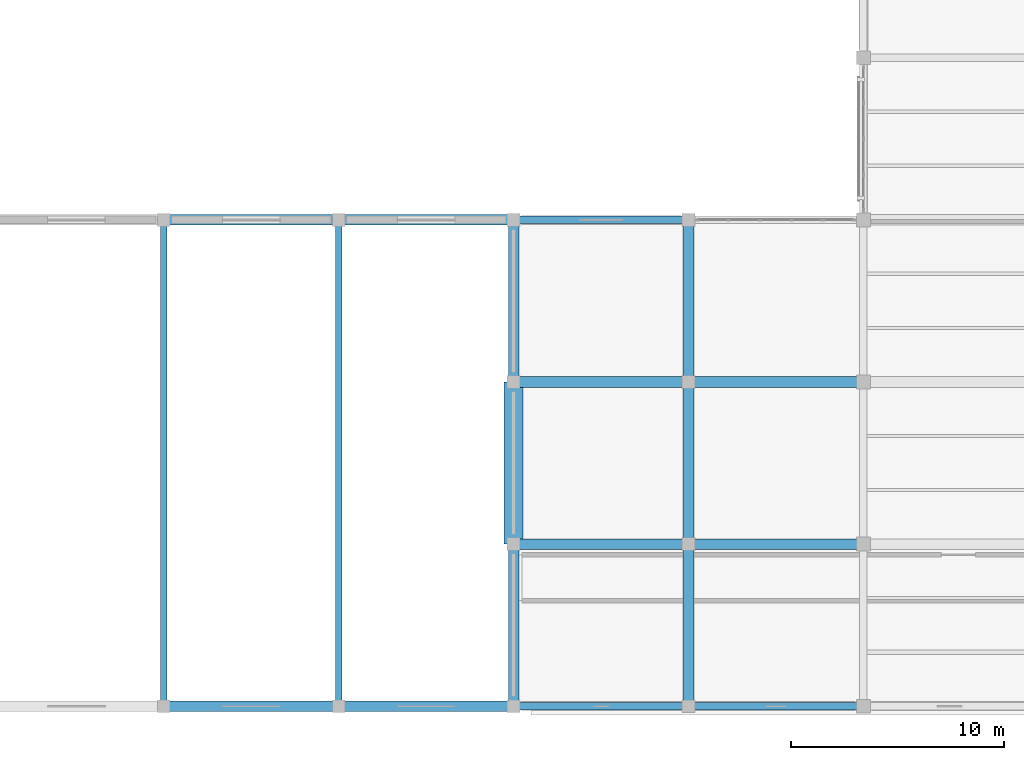
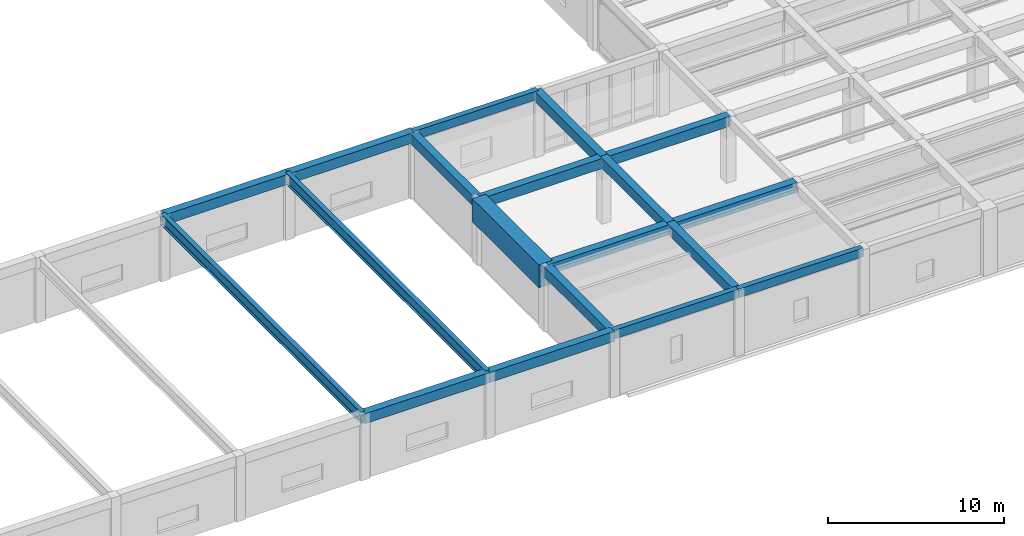
# One storey, part 9 of 49: 19 beams.
"""IFC4 building model written with IfcOpenShell, lengths in metres."""

import ifcopenshell
import ifcopenshell.guid

model = None  # the IFC model being written
_history = None  # IfcOwnerHistory: only IFC2X3 demands one
_inside = {}  # id of a spatial element -> (the spatial element, [elements in it])
_under = {}  # id of a project, library or spatial element -> (it, [spatial elements below it])
_declared = {}  # id of a project -> (the project, [libraries it declares])
_typed = {}  # id of a type object -> (the type object, [elements of that type])
_made_of = {}  # id of a material, layer set ... -> (it, [elements and type objects made of it])


def new_model(schema):
    """Start an empty IFC model of exactly this schema.

    Asked for "IFC4X3", IfcOpenShell would pick the latest addendum, in which some entities
    have other attributes; the version numbers below select the first issue.
    IFC2X3 requires an IfcOwnerHistory on every rooted entity: one is made here for all.
    """
    global model, _history
    if schema == "IFC4X3":
        model = ifcopenshell.file(schema_version=(4, 3, 0, 0))
    else:
        model = ifcopenshell.file(schema=schema)
    _inside.clear()
    _under.clear()
    _declared.clear()
    _typed.clear()
    _made_of.clear()
    _history = None
    if model.schema == "IFC2X3":
        org = make("IfcOrganization", Name="unknown")
        user = make(
            "IfcPersonAndOrganization",
            ThePerson=make("IfcPerson", FamilyName="unknown"),
            TheOrganization=org,
        )
        app = make(
            "IfcApplication",
            ApplicationDeveloper=org,
            Version="unknown",
            ApplicationFullName="unknown",
            ApplicationIdentifier="unknown",
        )
        _history = make(
            "IfcOwnerHistory",
            OwningUser=user,
            OwningApplication=app,
            ChangeAction="ADDED",
            CreationDate=0,
        )
    return model


def make(cls, **values):
    """One entity of the class cls with the attributes given. An attribute that is None is left unset."""
    return model.create_entity(
        cls, **{name: value for name, value in values.items() if value is not None}
    )


def rooted(cls, **values):
    """An entity with a GlobalId (a new one), such as an element, a storey or a relation."""
    return make(cls, GlobalId=ifcopenshell.guid.new(), OwnerHistory=_history, **values)


def si_unit(unit_type, name, prefix=None):
    """IfcSIUnit, for example si_unit("LENGTHUNIT", "METRE", prefix="MILLI")."""
    return make("IfcSIUnit", UnitType=unit_type, Prefix=prefix, Name=name)


def assignment(units):
    """IfcUnitAssignment: the units of a project."""
    return None if units is None else make("IfcUnitAssignment", Units=units)


def point(xyz):
    """IfcCartesianPoint."""
    return None if xyz is None else make("IfcCartesianPoint", Coordinates=xyz)


def direction(xyz):
    """IfcDirection."""
    return None if xyz is None else make("IfcDirection", DirectionRatios=xyz)


def frame(location, z_axis=None, x_axis=None):
    """IfcAxis2Placement3D, a coordinate frame: its origin and axes. An axis left out is left unset."""
    return make(
        "IfcAxis2Placement3D",
        Location=point(location),
        Axis=direction(z_axis),
        RefDirection=direction(x_axis),
    )


def frame_2d(location, x_axis=None):
    """IfcAxis2Placement2D, a coordinate frame in the plane: its origin and x axis."""
    return make(
        "IfcAxis2Placement2D", Location=point(location), RefDirection=direction(x_axis)
    )


def origin():
    """The frame at (0, 0, 0) with its axes left unset."""
    return frame((0.0, 0.0, 0.0))


def origin_2d():
    """The frame at (0, 0) in the plane with its x axis left unset."""
    return frame_2d((0.0, 0.0))


def place(relative_to, where):
    """IfcLocalPlacement: puts the frame where relative to a parent placement (None: the world)."""
    return make(
        "IfcLocalPlacement", PlacementRelTo=relative_to, RelativePlacement=where
    )


def context(
    kind, dimensions, precision=None, world=None, true_north=None, identifier=None
):
    """IfcGeometricRepresentationContext, for example the 3D "Model" context."""
    return make(
        "IfcGeometricRepresentationContext",
        ContextIdentifier=identifier,
        ContextType=kind,
        CoordinateSpaceDimension=dimensions,
        Precision=precision,
        WorldCoordinateSystem=world,
        TrueNorth=true_north,
    )


def subcontext(parent, identifier, kind, view, scale=None):
    """IfcGeometricRepresentationSubContext, for example "Body" below "Model"."""
    return make(
        "IfcGeometricRepresentationSubContext",
        ContextIdentifier=identifier,
        ContextType=kind,
        ParentContext=parent,
        TargetScale=scale,
        TargetView=view,
    )


def project(units=None, contexts=None):
    """IfcProject with its units and contexts."""
    return rooted(
        "IfcProject",
        Name="project",
        RepresentationContexts=contexts,
        UnitsInContext=assignment(units),
    )


def spatial(cls, under=None, at=None, **own):
    """A site, building, storey or space (cls), placed at a placement, below another one or the project."""
    s = rooted(cls, ObjectPlacement=at, **own)
    if under is not None:
        _under.setdefault(under.id(), (under, []))[1].append(s)
    return s


def profile(cls, at=None, kind="AREA", **sizes):
    """A parametric profile (cls). Its sizes go by their IFC names, for example OverallWidth=200.0."""
    return make(cls, ProfileType=kind, Position=at, **sizes)


def rectangle(**sizes):
    """IfcRectangleProfileDef."""
    return profile("IfcRectangleProfileDef", **sizes)


def i_section(**sizes):
    """IfcIShapeProfileDef."""
    return profile("IfcIShapeProfileDef", **sizes)


def extrude(swept, where, along, depth):
    """IfcExtrudedAreaSolid: the profile swept, set in the frame where, extruded along a direction by depth."""
    return make(
        "IfcExtrudedAreaSolid",
        SweptArea=swept,
        Position=where,
        ExtrudedDirection=direction(along),
        Depth=depth,
    )


def shape(context_of_items, identifier, shape_type, items):
    """IfcShapeRepresentation: the items that make up one representation, for example the "Body"."""
    return make(
        "IfcShapeRepresentation",
        ContextOfItems=context_of_items,
        RepresentationIdentifier=identifier,
        RepresentationType=shape_type,
        Items=items,
    )


def material(Name=None, Category=None):
    """IfcMaterial."""
    return make("IfcMaterial", Name=Name, Category=Category)


def material_profile(
    of_material, cross_section, Name=None, Category=None, Priority=None
):
    """IfcMaterialProfile: a cross section and its material."""
    return make(
        "IfcMaterialProfile",
        Name=Name,
        Material=of_material,
        Profile=cross_section,
        Priority=Priority,
        Category=Category,
    )


def profile_set(profiles, Name=None, composite=None):
    """IfcMaterialProfileSet."""
    return make(
        "IfcMaterialProfileSet",
        Name=Name,
        MaterialProfiles=profiles,
        CompositeProfile=composite,
    )


def made_of(thing, what):
    """Note that an element or type object is made of a material, layer set ...; save() writes the relation."""
    if what is not None:
        _made_of.setdefault(what.id(), (what, []))[1].append(thing)
    return thing


def type_object(cls, material=None, **own):
    """A type object (cls), such as IfcWallType, which elements share."""
    return made_of(rooted(cls, **own), material)


def element(
    cls,
    number,
    at=None,
    inside=None,
    cuts=None,
    type_object=None,
    material=None,
    context=None,
    identifier="Body",
    shape_type=None,
    held_by="IfcProductDefinitionShape",
    body=None,
    shapes=None,
    **own,
):
    """One element of the class cls, such as IfcWall. Its Tag is "e" and its number.

    at: its placement. inside: the storey or other place that contains it. cuts: it is an
    opening in that element (IfcRelVoidsElement). A single representation is given by context,
    identifier, shape_type and body (its items); several are given by shapes. held_by: the class
    of the entity that holds the representations. save() writes the other relations.
    """
    e = rooted(cls, Tag="e%d" % number, ObjectPlacement=at, **own)
    if body is not None:
        shapes = [shape(context, identifier, shape_type, body)]
    if shapes is not None:
        e.Representation = make(held_by, Representations=shapes)
    if inside is not None:
        _inside.setdefault(inside.id(), (inside, []))[1].append(e)
    if cuts is not None:
        rooted(
            "IfcRelVoidsElement", RelatingBuildingElement=cuts, RelatedOpeningElement=e
        )
    if type_object is not None:
        _typed.setdefault(type_object.id(), (type_object, []))[1].append(e)
    return made_of(e, material)


def aggregate(whole, parts):
    """IfcRelAggregates: a whole, such as a stair, and the parts it consists of."""
    return rooted("IfcRelAggregates", RelatingObject=whole, RelatedObjects=parts)


def save(model, path):
    """Write the relations noted so far, then the file.

    IfcRelAggregates (storeys below a building ...), IfcRelContainedInSpatialStructure (elements
    in a storey), IfcRelDefinesByType, IfcRelAssociatesMaterial and IfcRelDeclares: one each for
    every whole, place, type object, material and project.
    """
    for whole, parts in _under.values():
        aggregate(whole, parts)
    for where, things in _inside.values():
        rooted(
            "IfcRelContainedInSpatialStructure",
            RelatedElements=things,
            RelatingStructure=where,
        )
    for kind, things in _typed.values():
        rooted("IfcRelDefinesByType", RelatedObjects=things, RelatingType=kind)
    for what, things in _made_of.values():
        rooted("IfcRelAssociatesMaterial", RelatedObjects=things, RelatingMaterial=what)
    for by, libraries in _declared.values():
        rooted("IfcRelDeclares", RelatingContext=by, RelatedDefinitions=libraries)
    model.write(path)


model = new_model("IFC4")

# Units and contexts
model_context = context("Model", 3, precision=1e-05, world=origin(), true_north=direction((0.0, 1.0)))
body_context = subcontext(model_context, "Body", "Model", "MODEL_VIEW")
ifc_project = project(units=[si_unit("LENGTHUNIT", "METRE"), si_unit("AREAUNIT", "SQUARE_METRE"), si_unit("VOLUMEUNIT", "CUBIC_METRE"), si_unit("PLANEANGLEUNIT", "RADIAN"), si_unit("MASSUNIT", "GRAM", prefix="KILO")], contexts=[model_context])

# Site, building, storey
site_placement = place(None, origin())
site = spatial("IfcSite", under=ifc_project, at=site_placement, CompositionType="ELEMENT")
building_placement = place(site_placement, origin())
building = spatial("IfcBuilding", under=site, at=building_placement, Name="Qandaris Square Conservatory and Botanical Centre", CompositionType="ELEMENT")
storey_placement = place(building_placement, frame((0.0, 0.0, 10.199951171875)))
storey = spatial("IfcBuildingStorey", under=building, at=storey_placement, Name="L02", CompositionType="ELEMENT", Elevation=10.199951171875)

# Beams
ifc_material_1 = material(Name="Steel S355", Category="steel")
ifc_material_profile_1 = material_profile(ifc_material_1, i_section(OverallWidth=0.300048828125, OverallDepth=0.7900390625, WebThickness=0.014892578125, FlangeThickness=0.028076171875, FilletRadius=0.030029296875, at=origin_2d()), Name="HEA 800")
ifc_profile_set_1 = profile_set([ifc_material_profile_1], Name="Steel S355")
beam_type_1 = type_object("IfcBeamType", Name="Auditorium Main Roof Girder HEA 800", PredefinedType="BEAM", material=ifc_profile_set_1)
for number, where, z_axis, x_axis, name in (
    (1, (81.800048828125, 16.60009765625, 4.150146484375), (0.0, 1.0, 0.0), (-1.0, 0.0, 0.0), "Auditorium Roof Girder 10"),
    (2, (90.0, 16.60009765625, 4.150146484375), (0.0, 1.0, 0.0), (-1.0, 0.0, 0.0), "Auditorium Roof Girder 11"),
):
    element("IfcBeam", number, at=place(storey_placement, frame(where, z_axis=z_axis, x_axis=x_axis)), inside=storey, type_object=beam_type_1, Name=name, PredefinedType="BEAM", context=body_context, shape_type="SweptSolid", body=[
        extrude(i_section(OverallWidth=0.300048828125, OverallDepth=0.7900390625, WebThickness=0.014892578125, FlangeThickness=0.028076171875, FilletRadius=0.030029296875, at=origin_2d()), origin(), (0.0, 0.0, 1.0), 22.7998046875),
    ])
ifc_material_2 = material(Name="Concrete C50/60", Category="concrete")
ifc_material_profile_2 = material_profile(ifc_material_2, rectangle(XDim=0.35009765625, YDim=0.60009765625, at=origin_2d()), Name="RC-SP 350x600")
ifc_profile_set_2 = profile_set([ifc_material_profile_2], Name="Concrete C50/60")
beam_type_2 = type_object("IfcBeamType", Name="RC Edge Spandrel Beam 350x600", PredefinedType="SPANDREL", material=ifc_profile_set_2)
beam_1_placement = place(storey_placement, frame((98.199951171875, 16.60009765625, 4.2451171875), z_axis=(1.0, 0.0, 0.0), x_axis=(0.0, 1.0, 0.0)))
element("IfcBeam", 3, at=beam_1_placement, inside=storey, type_object=beam_type_2, Name="L02 Frame Beam 1294", PredefinedType="SPANDREL", context=body_context, shape_type="SweptSolid", body=[
    extrude(rectangle(XDim=0.35009765625, YDim=0.60009765625, at=origin_2d()), origin(), (0.0, 0.0, 1.0), 8.199951171875),
])
beam_2_placement = place(storey_placement, frame((106.39990234375, 16.60009765625, 4.2451171875), z_axis=(1.0, 0.0, 0.0), x_axis=(0.0, 1.0, 0.0)))
element("IfcBeam", 4, at=beam_2_placement, inside=storey, type_object=beam_type_2, Name="L02 Frame Beam 1295", PredefinedType="SPANDREL", context=body_context, shape_type="SweptSolid", body=[
    extrude(rectangle(XDim=0.35009765625, YDim=0.60009765625, at=origin_2d()), origin(), (0.0, 0.0, 1.0), 8.2001953125),
])
beam_3_placement = place(storey_placement, frame((98.199951171875, 39.39990234375, 4.2451171875), z_axis=(1.0, 0.0, 0.0), x_axis=(0.0, 1.0, 0.0)))
element("IfcBeam", 5, at=beam_3_placement, inside=storey, type_object=beam_type_2, Name="L02 Frame Beam 1322", PredefinedType="SPANDREL", context=body_context, shape_type="SweptSolid", body=[
    extrude(rectangle(XDim=0.35009765625, YDim=0.60009765625, at=origin_2d()), origin(), (0.0, 0.0, 1.0), 8.199951171875),
])
ifc_material_profile_3 = material_profile(ifc_material_2, rectangle(XDim=0.5, YDim=0.699951171875, at=origin_2d()), Name="RC-BM 500x700")
ifc_profile_set_3 = profile_set([ifc_material_profile_3], Name="Concrete C50/60")
beam_type_3 = type_object("IfcBeamType", Name="RC Floor Girder 500x700", PredefinedType="BEAM", material=ifc_profile_set_3)
for number, where, z_axis, x_axis, name in (
    (6, (81.800048828125, 16.60009765625, 4.195068359375), (1.0, 0.0, 0.0), (0.0, 1.0, 0.0), "L02 Frame Beam 1292"),
    (7, (90.0, 16.60009765625, 4.195068359375), (1.0, 0.0, 0.0), (0.0, 1.0, 0.0), "L02 Frame Beam 1293"),
    (8, (98.199951171875, 24.199951171875, 4.195068359375), (1.0, 0.0, 0.0), (0.0, 1.0, 0.0), "L02 Frame Beam 1302"),
):
    element("IfcBeam", number, at=place(storey_placement, frame(where, z_axis=z_axis, x_axis=x_axis)), inside=storey, type_object=beam_type_3, Name=name, PredefinedType="BEAM", context=body_context, shape_type="SweptSolid", body=[
        extrude(rectangle(XDim=0.5, YDim=0.699951171875, at=origin_2d()), origin(), (0.0, 0.0, 1.0), 8.199951171875),
    ])
beam_4_placement = place(storey_placement, frame((106.39990234375, 24.199951171875, 4.195068359375), z_axis=(1.0, 0.0, 0.0), x_axis=(0.0, 1.0, 0.0)))
element("IfcBeam", 9, at=beam_4_placement, inside=storey, type_object=beam_type_3, Name="L02 Frame Beam 1303", PredefinedType="BEAM", context=body_context, shape_type="SweptSolid", body=[
    extrude(rectangle(XDim=0.5, YDim=0.699951171875, at=origin_2d()), origin(), (0.0, 0.0, 1.0), 8.2001953125),
])
beam_5_placement = place(storey_placement, frame((98.199951171875, 31.800048828125, 4.195068359375), z_axis=(1.0, 0.0, 0.0), x_axis=(0.0, 1.0, 0.0)))
element("IfcBeam", 10, at=beam_5_placement, inside=storey, type_object=beam_type_3, Name="L02 Frame Beam 1310", PredefinedType="BEAM", context=body_context, shape_type="SweptSolid", body=[
    extrude(rectangle(XDim=0.5, YDim=0.699951171875, at=origin_2d()), origin(), (0.0, 0.0, 1.0), 8.199951171875),
])
beam_6_placement = place(storey_placement, frame((106.39990234375, 31.800048828125, 4.195068359375), z_axis=(1.0, 0.0, 0.0), x_axis=(0.0, 1.0, 0.0)))
element("IfcBeam", 11, at=beam_6_placement, inside=storey, type_object=beam_type_3, Name="L02 Frame Beam 1311", PredefinedType="BEAM", context=body_context, shape_type="SweptSolid", body=[
    extrude(rectangle(XDim=0.5, YDim=0.699951171875, at=origin_2d()), origin(), (0.0, 0.0, 1.0), 8.2001953125),
])
for number, where, z_axis, x_axis, name in (
    (12, (81.800048828125, 39.39990234375, 4.195068359375), (1.0, 0.0, 0.0), (0.0, 1.0, 0.0), "L02 Frame Beam 1320"),
    (13, (90.0, 39.39990234375, 4.195068359375), (1.0, 0.0, 0.0), (0.0, 1.0, 0.0), "L02 Frame Beam 1321"),
):
    element("IfcBeam", number, at=place(storey_placement, frame(where, z_axis=z_axis, x_axis=x_axis)), inside=storey, type_object=beam_type_3, Name=name, PredefinedType="BEAM", context=body_context, shape_type="SweptSolid", body=[
        extrude(rectangle(XDim=0.5, YDim=0.699951171875, at=origin_2d()), origin(), (0.0, 0.0, 1.0), 8.199951171875),
    ])
for number, where, z_axis, x_axis, name in (
    (14, (98.199951171875, 16.60009765625, 4.16015625), (0.0, 1.0, 0.0), (-1.0, 0.0, 0.0), "L02 Frame Beam 1379"),
    (15, (98.199951171875, 31.800048828125, 4.16015625), (0.0, 1.0, 0.0), (-1.0, 0.0, 0.0), "L02 Frame Beam 1380"),
    (16, (106.39990234375, 16.60009765625, 4.195068359375), (0.0, 1.0, 0.0), (-1.0, 0.0, 0.0), "L02 Frame Beam 1381"),
):
    element("IfcBeam", number, at=place(storey_placement, frame(where, z_axis=z_axis, x_axis=x_axis)), inside=storey, type_object=beam_type_3, Name=name, PredefinedType="BEAM", context=body_context, shape_type="SweptSolid", body=[
        extrude(rectangle(XDim=0.5, YDim=0.699951171875, at=origin_2d()), origin(), (0.0, 0.0, 1.0), 7.599853515625),
    ])
beam_7_placement = place(storey_placement, frame((106.39990234375, 24.199951171875, 4.195068359375), z_axis=(0.0, 1.0, 0.0), x_axis=(-1.0, 0.0, 0.0)))
element("IfcBeam", 17, at=beam_7_placement, inside=storey, type_object=beam_type_3, Name="L02 Frame Beam 1382", PredefinedType="BEAM", context=body_context, shape_type="SweptSolid", body=[
    extrude(rectangle(XDim=0.5, YDim=0.699951171875, at=origin_2d()), origin(), (0.0, 0.0, 1.0), 7.60009765625),
])
beam_8_placement = place(storey_placement, frame((106.39990234375, 31.800048828125, 4.195068359375), z_axis=(0.0, 1.0, 0.0), x_axis=(-1.0, 0.0, 0.0)))
element("IfcBeam", 18, at=beam_8_placement, inside=storey, type_object=beam_type_3, Name="L02 Frame Beam 1383", PredefinedType="BEAM", context=body_context, shape_type="SweptSolid", body=[
    extrude(rectangle(XDim=0.5, YDim=0.699951171875, at=origin_2d()), origin(), (0.0, 0.0, 1.0), 7.599853515625),
])
ifc_material_profile_4 = material_profile(ifc_material_2, rectangle(XDim=0.89990234375, YDim=1.60009765625, at=origin_2d()), Name="RC-TG 900x1600")
ifc_profile_set_4 = profile_set([ifc_material_profile_4], Name="Concrete C50/60")
beam_type_4 = type_object("IfcBeamType", Name="Transfer Girder TG1 900x1600", PredefinedType="BEAM", material=ifc_profile_set_4)
beam_9_placement = place(storey_placement, frame((98.199951171875, 24.199951171875, 3.7451171875), z_axis=(0.0, 1.0, 0.0), x_axis=(-1.0, 0.0, 0.0)))
element("IfcBeam", 19, at=beam_9_placement, inside=storey, type_object=beam_type_4, Name="Auditorium Gable Transfer Girder 12", PredefinedType="BEAM", context=body_context, shape_type="SweptSolid", body=[
    extrude(rectangle(XDim=0.89990234375, YDim=1.60009765625, at=origin_2d()), origin(), (0.0, 0.0, 1.0), 7.60009765625),
])

save(model, "model.ifc")
